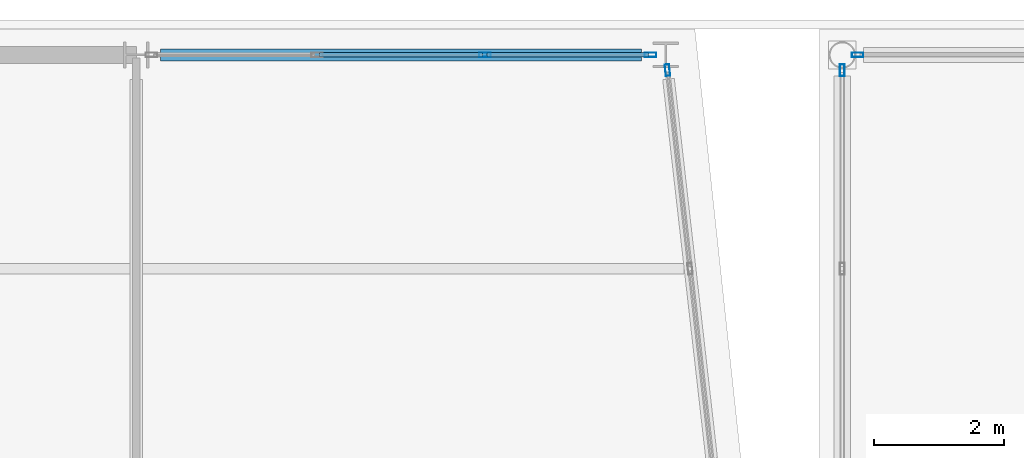
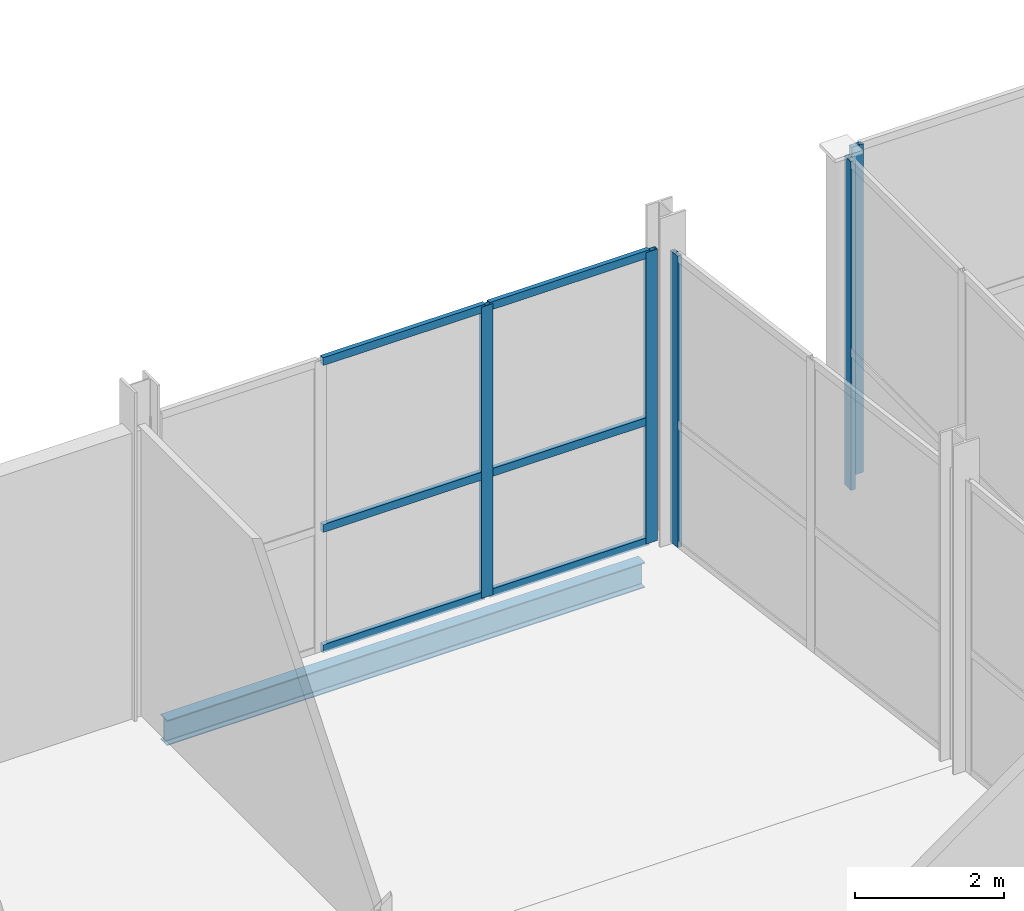
# One storey, part 37 of 83: 11 members, 1 beam, 4 elements without a shape of their own.
"""IFC4 building model written with IfcOpenShell, lengths in metres."""

import ifcopenshell
import ifcopenshell.guid

model = None  # the IFC model being written
_history = None  # IfcOwnerHistory: only IFC2X3 demands one
_inside = {}  # id of a spatial element -> (the spatial element, [elements in it])
_under = {}  # id of a project, library or spatial element -> (it, [spatial elements below it])
_declared = {}  # id of a project -> (the project, [libraries it declares])
_typed = {}  # id of a type object -> (the type object, [elements of that type])
_made_of = {}  # id of a material, layer set ... -> (it, [elements and type objects made of it])


def new_model(schema):
    """Start an empty IFC model of exactly this schema.

    Asked for "IFC4X3", IfcOpenShell would pick the latest addendum, in which some entities
    have other attributes; the version numbers below select the first issue.
    IFC2X3 requires an IfcOwnerHistory on every rooted entity: one is made here for all.
    """
    global model, _history
    if schema == "IFC4X3":
        model = ifcopenshell.file(schema_version=(4, 3, 0, 0))
    else:
        model = ifcopenshell.file(schema=schema)
    _inside.clear()
    _under.clear()
    _declared.clear()
    _typed.clear()
    _made_of.clear()
    _history = None
    if model.schema == "IFC2X3":
        org = make("IfcOrganization", Name="unknown")
        user = make(
            "IfcPersonAndOrganization",
            ThePerson=make("IfcPerson", FamilyName="unknown"),
            TheOrganization=org,
        )
        app = make(
            "IfcApplication",
            ApplicationDeveloper=org,
            Version="unknown",
            ApplicationFullName="unknown",
            ApplicationIdentifier="unknown",
        )
        _history = make(
            "IfcOwnerHistory",
            OwningUser=user,
            OwningApplication=app,
            ChangeAction="ADDED",
            CreationDate=0,
        )
    return model


def make(cls, **values):
    """One entity of the class cls with the attributes given. An attribute that is None is left unset."""
    return model.create_entity(
        cls, **{name: value for name, value in values.items() if value is not None}
    )


def rooted(cls, **values):
    """An entity with a GlobalId (a new one), such as an element, a storey or a relation."""
    return make(cls, GlobalId=ifcopenshell.guid.new(), OwnerHistory=_history, **values)


def si_unit(unit_type, name, prefix=None):
    """IfcSIUnit, for example si_unit("LENGTHUNIT", "METRE", prefix="MILLI")."""
    return make("IfcSIUnit", UnitType=unit_type, Prefix=prefix, Name=name)


def assignment(units):
    """IfcUnitAssignment: the units of a project."""
    return None if units is None else make("IfcUnitAssignment", Units=units)


def point(xyz):
    """IfcCartesianPoint."""
    return None if xyz is None else make("IfcCartesianPoint", Coordinates=xyz)


def direction(xyz):
    """IfcDirection."""
    return None if xyz is None else make("IfcDirection", DirectionRatios=xyz)


def frame(location, z_axis=None, x_axis=None):
    """IfcAxis2Placement3D, a coordinate frame: its origin and axes. An axis left out is left unset."""
    return make(
        "IfcAxis2Placement3D",
        Location=point(location),
        Axis=direction(z_axis),
        RefDirection=direction(x_axis),
    )


def frame_2d(location, x_axis=None):
    """IfcAxis2Placement2D, a coordinate frame in the plane: its origin and x axis."""
    return make(
        "IfcAxis2Placement2D", Location=point(location), RefDirection=direction(x_axis)
    )


def origin():
    """The frame at (0, 0, 0) with its axes left unset."""
    return frame((0.0, 0.0, 0.0))


def origin_2d():
    """The frame at (0, 0) in the plane with its x axis left unset."""
    return frame_2d((0.0, 0.0))


def place(relative_to, where):
    """IfcLocalPlacement: puts the frame where relative to a parent placement (None: the world)."""
    return make(
        "IfcLocalPlacement", PlacementRelTo=relative_to, RelativePlacement=where
    )


def context(
    kind, dimensions, precision=None, world=None, true_north=None, identifier=None
):
    """IfcGeometricRepresentationContext, for example the 3D "Model" context."""
    return make(
        "IfcGeometricRepresentationContext",
        ContextIdentifier=identifier,
        ContextType=kind,
        CoordinateSpaceDimension=dimensions,
        Precision=precision,
        WorldCoordinateSystem=world,
        TrueNorth=true_north,
    )


def subcontext(parent, identifier, kind, view, scale=None):
    """IfcGeometricRepresentationSubContext, for example "Body" below "Model"."""
    return make(
        "IfcGeometricRepresentationSubContext",
        ContextIdentifier=identifier,
        ContextType=kind,
        ParentContext=parent,
        TargetScale=scale,
        TargetView=view,
    )


def project(units=None, contexts=None):
    """IfcProject with its units and contexts."""
    return rooted(
        "IfcProject",
        Name="project",
        RepresentationContexts=contexts,
        UnitsInContext=assignment(units),
    )


def spatial(cls, under=None, at=None, **own):
    """A site, building, storey or space (cls), placed at a placement, below another one or the project."""
    s = rooted(cls, ObjectPlacement=at, **own)
    if under is not None:
        _under.setdefault(under.id(), (under, []))[1].append(s)
    return s


def profile(cls, at=None, kind="AREA", **sizes):
    """A parametric profile (cls). Its sizes go by their IFC names, for example OverallWidth=200.0."""
    return make(cls, ProfileType=kind, Position=at, **sizes)


def hollow_rectangle(**sizes):
    """IfcRectangleHollowProfileDef."""
    return profile("IfcRectangleHollowProfileDef", **sizes)


def i_section(**sizes):
    """IfcIShapeProfileDef."""
    return profile("IfcIShapeProfileDef", **sizes)


def extrude(swept, where, along, depth):
    """IfcExtrudedAreaSolid: the profile swept, set in the frame where, extruded along a direction by depth."""
    return make(
        "IfcExtrudedAreaSolid",
        SweptArea=swept,
        Position=where,
        ExtrudedDirection=direction(along),
        Depth=depth,
    )


def shape(context_of_items, identifier, shape_type, items):
    """IfcShapeRepresentation: the items that make up one representation, for example the "Body"."""
    return make(
        "IfcShapeRepresentation",
        ContextOfItems=context_of_items,
        RepresentationIdentifier=identifier,
        RepresentationType=shape_type,
        Items=items,
    )


def material(Name=None, Category=None):
    """IfcMaterial."""
    return make("IfcMaterial", Name=Name, Category=Category)


def layer(
    of_material, thickness, ventilated=None, Name=None, Category=None, Priority=None
):
    """IfcMaterialLayer: one layer of a wall or slab, of a material (None: an air gap)."""
    return make(
        "IfcMaterialLayer",
        Material=of_material,
        LayerThickness=thickness,
        IsVentilated=ventilated,
        Name=Name,
        Category=Category,
        Priority=Priority,
    )


def layer_set(layers, Name=None):
    """IfcMaterialLayerSet."""
    return make("IfcMaterialLayerSet", MaterialLayers=layers, LayerSetName=Name)


def material_profile(
    of_material, cross_section, Name=None, Category=None, Priority=None
):
    """IfcMaterialProfile: a cross section and its material."""
    return make(
        "IfcMaterialProfile",
        Name=Name,
        Material=of_material,
        Profile=cross_section,
        Priority=Priority,
        Category=Category,
    )


def profile_set(profiles, Name=None, composite=None):
    """IfcMaterialProfileSet."""
    return make(
        "IfcMaterialProfileSet",
        Name=Name,
        MaterialProfiles=profiles,
        CompositeProfile=composite,
    )


def made_of(thing, what):
    """Note that an element or type object is made of a material, layer set ...; save() writes the relation."""
    if what is not None:
        _made_of.setdefault(what.id(), (what, []))[1].append(thing)
    return thing


def type_object(cls, material=None, **own):
    """A type object (cls), such as IfcWallType, which elements share."""
    return made_of(rooted(cls, **own), material)


def element(
    cls,
    number,
    at=None,
    inside=None,
    cuts=None,
    type_object=None,
    material=None,
    context=None,
    identifier="Body",
    shape_type=None,
    held_by="IfcProductDefinitionShape",
    body=None,
    shapes=None,
    **own,
):
    """One element of the class cls, such as IfcWall. Its Tag is "e" and its number.

    at: its placement. inside: the storey or other place that contains it. cuts: it is an
    opening in that element (IfcRelVoidsElement). A single representation is given by context,
    identifier, shape_type and body (its items); several are given by shapes. held_by: the class
    of the entity that holds the representations. save() writes the other relations.
    """
    e = rooted(cls, Tag="e%d" % number, ObjectPlacement=at, **own)
    if body is not None:
        shapes = [shape(context, identifier, shape_type, body)]
    if shapes is not None:
        e.Representation = make(held_by, Representations=shapes)
    if inside is not None:
        _inside.setdefault(inside.id(), (inside, []))[1].append(e)
    if cuts is not None:
        rooted(
            "IfcRelVoidsElement", RelatingBuildingElement=cuts, RelatedOpeningElement=e
        )
    if type_object is not None:
        _typed.setdefault(type_object.id(), (type_object, []))[1].append(e)
    return made_of(e, material)


def aggregate(whole, parts):
    """IfcRelAggregates: a whole, such as a stair, and the parts it consists of."""
    return rooted("IfcRelAggregates", RelatingObject=whole, RelatedObjects=parts)


def save(model, path):
    """Write the relations noted so far, then the file.

    IfcRelAggregates (storeys below a building ...), IfcRelContainedInSpatialStructure (elements
    in a storey), IfcRelDefinesByType, IfcRelAssociatesMaterial and IfcRelDeclares: one each for
    every whole, place, type object, material and project.
    """
    for whole, parts in _under.values():
        aggregate(whole, parts)
    for where, things in _inside.values():
        rooted(
            "IfcRelContainedInSpatialStructure",
            RelatedElements=things,
            RelatingStructure=where,
        )
    for kind, things in _typed.values():
        rooted("IfcRelDefinesByType", RelatedObjects=things, RelatingType=kind)
    for what, things in _made_of.values():
        rooted("IfcRelAssociatesMaterial", RelatedObjects=things, RelatingMaterial=what)
    for by, libraries in _declared.values():
        rooted("IfcRelDeclares", RelatingContext=by, RelatedDefinitions=libraries)
    model.write(path)


model = new_model("IFC4")

# Units and contexts
model_context = context("Model", 3, precision=1e-05, world=origin(), true_north=direction((0.0, 1.0)))
body_context = subcontext(model_context, "Body", "Model", "MODEL_VIEW")
ifc_project = project(units=[si_unit("LENGTHUNIT", "METRE"), si_unit("AREAUNIT", "SQUARE_METRE"), si_unit("VOLUMEUNIT", "CUBIC_METRE"), si_unit("PLANEANGLEUNIT", "RADIAN"), si_unit("MASSUNIT", "GRAM", prefix="KILO")], contexts=[model_context])

# Site, building, storey
site_placement = place(None, origin())
site = spatial("IfcSite", under=ifc_project, at=site_placement, CompositionType="ELEMENT")
building_placement = place(site_placement, origin())
building = spatial("IfcBuilding", under=site, at=building_placement, Name="Quillay Park Conservatory", CompositionType="ELEMENT")
storey_placement = place(building_placement, origin())
storey = spatial("IfcBuildingStorey", under=building, at=storey_placement, Name="L00", CompositionType="ELEMENT", Elevation=0.0)

# Curtain wall, member
ifc_material_1 = material(Name="Thermally Broken Anodised Aluminium 6063-T6", Category="aluminium")
ifc_layer_1 = layer(ifc_material_1, 0.179931640625)
ifc_layer_set_1 = layer_set([ifc_layer_1], Name="UNITISED CURTAIN WALL TOWER (Thermally Broken Anodised Aluminium 6063-T6)")
curtain_wall_type_1 = type_object("IfcCurtainWallType", Name="UNITISED CURTAIN WALL TOWER", PredefinedType="USERDEFINED", material=ifc_layer_set_1)
curtain_wall_1_placement = place(storey_placement, origin())
curtain_wall_1 = element("IfcCurtainWall", 1, at=curtain_wall_1_placement, inside=storey, type_object=curtain_wall_type_1, Name="L00 Unitised Curtain Wall 007", ObjectType="UNITISED CURTAIN WALL", PredefinedType="USERDEFINED")
ifc_material_2 = material(Name="Thermally Broken Anodised Aluminium 6063-T6", Category="aluminium")
ifc_material_profile_1 = material_profile(ifc_material_2, hollow_rectangle(XDim=0.070068359375, YDim=0.179931640625, WallThickness=0.00390625, at=origin_2d()), Name="AL70x180x4")
ifc_profile_set_1 = profile_set([ifc_material_profile_1], Name="Thermally Broken Anodised Aluminium 6063-T6")
member_type_1 = type_object("IfcMemberType", Name="CURTAIN WALL MULLION 70 X180", PredefinedType="MULLION", material=ifc_profile_set_1)
member_1_placement = place(storey_placement, frame((27.95166015625, 113.16650390625, 0.0), z_axis=(0.0, 0.0, 1.0), x_axis=(0.993605989969, 0.112903218278, 0.0)))
member_1 = element("IfcMember", 2, at=member_1_placement, type_object=member_type_1, Name="CW-T1 mullion 1", PredefinedType="MULLION", context=body_context, shape_type="SweptSolid", body=[
    extrude(hollow_rectangle(XDim=0.070068359375, YDim=0.179931640625, WallThickness=0.00390625, at=origin_2d()), origin(), (0.0, 0.0, 1.0), 4.7890625),
])
aggregate(curtain_wall_1, [member_1])

# Curtain wall, members
curtain_wall_2_placement = place(storey_placement, origin())
curtain_wall_2 = element("IfcCurtainWall", 3, at=curtain_wall_2_placement, inside=storey, type_object=curtain_wall_type_1, Name="L00 Unitised Curtain Wall 009", ObjectType="UNITISED CURTAIN WALL", PredefinedType="USERDEFINED")
member_2_placement = place(storey_placement, frame((25.13330078125, 113.39990234375, 0.0), z_axis=(0.0, 0.0, 1.0), x_axis=(0.0, 1.0, 0.0)))
member_2 = element("IfcMember", 4, at=member_2_placement, type_object=member_type_1, Name="CW-T1 mullion 3", PredefinedType="MULLION", context=body_context, shape_type="SweptSolid", body=[
    extrude(hollow_rectangle(XDim=0.070068359375, YDim=0.179931640625, WallThickness=0.00390625, at=origin_2d()), origin(), (0.0, 0.0, 1.0), 4.7890625),
])
member_3_placement = place(storey_placement, frame((27.68994140625, 113.39990234375, 0.0), z_axis=(0.0, 0.0, 1.0), x_axis=(0.0, 1.0, 0.0)))
member_3 = element("IfcMember", 5, at=member_3_placement, type_object=member_type_1, Name="CW-T1 mullion 4", PredefinedType="MULLION", context=body_context, shape_type="SweptSolid", body=[
    extrude(hollow_rectangle(XDim=0.070068359375, YDim=0.179931640625, WallThickness=0.00390625, at=origin_2d()), origin(), (0.0, 0.0, 1.0), 4.7890625),
])

# Curtain wall, member
ifc_material_3 = material(Name="Thermally Broken Anodised Aluminium 6063-T6", Category="aluminium")
ifc_layer_2 = layer(ifc_material_3, 0.219970703125)
ifc_layer_set_2 = layer_set([ifc_layer_2], Name="UNITISED CURTAIN WALL CONSERVATORY (Thermally Broken Anodised Aluminium 6063-T6)")
curtain_wall_type_2 = type_object("IfcCurtainWallType", Name="UNITISED CURTAIN WALL CONSERVATORY", PredefinedType="USERDEFINED", material=ifc_layer_set_2)
curtain_wall_3_placement = place(storey_placement, origin())
curtain_wall_3 = element("IfcCurtainWall", 6, at=curtain_wall_3_placement, inside=storey, type_object=curtain_wall_type_2, Name="L00 Unitised Curtain Wall 147", ObjectType="UNITISED CURTAIN WALL", PredefinedType="USERDEFINED")
member_4_placement = place(storey_placement, frame((30.886962890625, 113.39990234375, 0.0), z_axis=(0.0, 0.0, 1.0), x_axis=(0.0, 1.0, 0.0)))
member_4 = element("IfcMember", 7, at=member_4_placement, type_object=member_type_1, Name="CW-C1 mullion 1", PredefinedType="MULLION", context=body_context, shape_type="SweptSolid", body=[
    extrude(hollow_rectangle(XDim=0.070068359375, YDim=0.179931640625, WallThickness=0.00390625, at=origin_2d()), origin(), (0.0, 0.0, 1.0), 5.39990234375),
])
aggregate(curtain_wall_3, [member_4])

curtain_wall_4_placement = place(storey_placement, origin())
curtain_wall_4 = element("IfcCurtainWall", 8, at=curtain_wall_4_placement, inside=storey, type_object=curtain_wall_type_2, Name="L00 Unitised Curtain Wall 171", ObjectType="UNITISED CURTAIN WALL", PredefinedType="USERDEFINED")
member_5_placement = place(storey_placement, frame((30.64990234375, 113.1630859375, 0.0), z_axis=(0.0, 0.0, 1.0), x_axis=(-1.0, 0.0, 0.0)))
member_5 = element("IfcMember", 9, at=member_5_placement, type_object=member_type_1, Name="CW-C1 mullion 3", PredefinedType="MULLION", context=body_context, shape_type="SweptSolid", body=[
    extrude(hollow_rectangle(XDim=0.070068359375, YDim=0.179931640625, WallThickness=0.00390625, at=origin_2d()), origin(), (0.0, 0.0, 1.0), 5.39990234375),
])
aggregate(curtain_wall_4, [member_5])

# Member
ifc_material_4 = material(Name="Thermally Broken Anodised Aluminium 6063-T6", Category="aluminium")
ifc_material_profile_2 = material_profile(ifc_material_4, hollow_rectangle(XDim=0.070068359375, YDim=0.1298828125, WallThickness=0.003173828125, at=origin_2d()), Name="AL70x130x3.2")
ifc_profile_set_2 = profile_set([ifc_material_profile_2], Name="Thermally Broken Anodised Aluminium 6063-T6")
member_type_2 = type_object("IfcMemberType", Name="CURTAIN WALL TRANSOM 70 X130", PredefinedType="USERDEFINED", material=ifc_profile_set_2)
member_6_placement = place(storey_placement, frame((22.57666015625, 113.39990234375, 0.034912109375), z_axis=(1.0, 0.0, 0.0), x_axis=(0.0, 1.0, 0.0)))
member_6 = element("IfcMember", 10, at=member_6_placement, type_object=member_type_2, Name="CW-T1 transom 2.1", ObjectType="TRANSOM", PredefinedType="USERDEFINED", context=body_context, shape_type="SweptSolid", body=[
    extrude(hollow_rectangle(XDim=0.070068359375, YDim=0.1298828125, WallThickness=0.003173828125, at=origin_2d()), origin(), (0.0, 0.0, 1.0), 2.521728515625),
])

member_7_placement = place(storey_placement, frame((22.57666015625, 113.39990234375, 2.011474609375), z_axis=(1.0, 0.0, 0.0), x_axis=(0.0, 1.0, 0.0)))
member_7 = element("IfcMember", 11, at=member_7_placement, type_object=member_type_2, Name="CW-T1 transom 2.2", ObjectType="TRANSOM", PredefinedType="USERDEFINED", context=body_context, shape_type="SweptSolid", body=[
    extrude(hollow_rectangle(XDim=0.070068359375, YDim=0.1298828125, WallThickness=0.003173828125, at=origin_2d()), origin(), (0.0, 0.0, 1.0), 2.521728515625),
])

member_8_placement = place(storey_placement, frame((22.57666015625, 113.39990234375, 4.75390625), z_axis=(1.0, 0.0, 0.0), x_axis=(0.0, 1.0, 0.0)))
member_8 = element("IfcMember", 12, at=member_8_placement, type_object=member_type_2, Name="CW-T1 transom 2.3", ObjectType="TRANSOM", PredefinedType="USERDEFINED", context=body_context, shape_type="SweptSolid", body=[
    extrude(hollow_rectangle(XDim=0.070068359375, YDim=0.1298828125, WallThickness=0.003173828125, at=origin_2d()), origin(), (0.0, 0.0, 1.0), 2.521728515625),
])

member_9_placement = place(storey_placement, frame((25.168212890625, 113.39990234375, 0.034912109375), z_axis=(1.0, 0.0, 0.0), x_axis=(0.0, 1.0, 0.0)))
member_9 = element("IfcMember", 13, at=member_9_placement, type_object=member_type_2, Name="CW-T1 transom 3.1", ObjectType="TRANSOM", PredefinedType="USERDEFINED", context=body_context, shape_type="SweptSolid", body=[
    extrude(hollow_rectangle(XDim=0.070068359375, YDim=0.1298828125, WallThickness=0.003173828125, at=origin_2d()), origin(), (0.0, 0.0, 1.0), 2.48681640625),
])

member_10_placement = place(storey_placement, frame((25.168212890625, 113.39990234375, 2.011474609375), z_axis=(1.0, 0.0, 0.0), x_axis=(0.0, 1.0, 0.0)))
member_10 = element("IfcMember", 14, at=member_10_placement, type_object=member_type_2, Name="CW-T1 transom 3.2", ObjectType="TRANSOM", PredefinedType="USERDEFINED", context=body_context, shape_type="SweptSolid", body=[
    extrude(hollow_rectangle(XDim=0.070068359375, YDim=0.1298828125, WallThickness=0.003173828125, at=origin_2d()), origin(), (0.0, 0.0, 1.0), 2.48681640625),
])

member_11_placement = place(storey_placement, frame((25.168212890625, 113.39990234375, 4.75390625), z_axis=(1.0, 0.0, 0.0), x_axis=(0.0, 1.0, 0.0)))
member_11 = element("IfcMember", 15, at=member_11_placement, type_object=member_type_2, Name="CW-T1 transom 3.3", ObjectType="TRANSOM", PredefinedType="USERDEFINED", context=body_context, shape_type="SweptSolid", body=[
    extrude(hollow_rectangle(XDim=0.070068359375, YDim=0.1298828125, WallThickness=0.003173828125, at=origin_2d()), origin(), (0.0, 0.0, 1.0), 2.48681640625),
])

aggregate(curtain_wall_2, [member_2, member_3, member_6, member_7, member_8, member_9, member_10, member_11])

# Beam
ifc_material_5 = material(Name="Steel ASTM A992 Grade 50", Category="steel")
ifc_material_profile_3 = material_profile(ifc_material_5, i_section(OverallWidth=0.179931640625, OverallDepth=0.4130859375, WebThickness=0.009765625, FlangeThickness=0.01611328125, FilletRadius=0.011962890625, at=origin_2d()), Name="W410x74")
ifc_profile_set_3 = profile_set([ifc_material_profile_3], Name="Steel ASTM A992 Grade 50")
beam_type = type_object("IfcBeamType", Name="PERIMETER SPANDREL BEAM W410 X74", PredefinedType="SPANDREL", material=ifc_profile_set_3)
beam_placement = place(storey_placement, frame((20.125, 113.39990234375, -0.45654296875), z_axis=(1.0, 0.0, 0.0), x_axis=(0.0, 1.0, 0.0)))
element("IfcBeam", 16, at=beam_placement, inside=storey, type_object=beam_type, Name="L00 beam BM-SP-0066", PredefinedType="SPANDREL", context=body_context, shape_type="SweptSolid", body=[
    extrude(i_section(OverallWidth=0.179931640625, OverallDepth=0.4130859375, WebThickness=0.009765625, FlangeThickness=0.01611328125, FilletRadius=0.011962890625, at=origin_2d()), origin(), (0.0, 0.0, 1.0), 7.425048828125),
])

save(model, "model.ifc")
